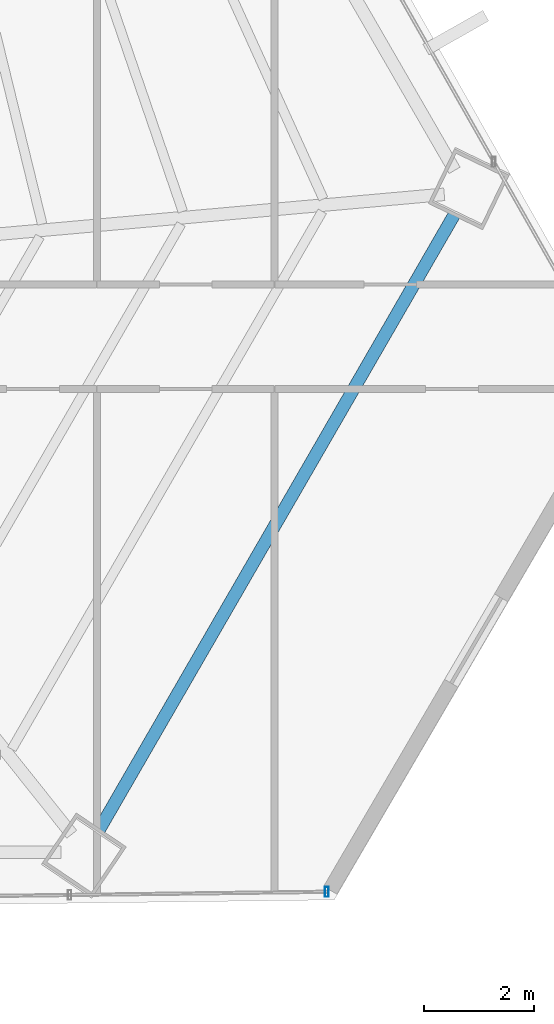
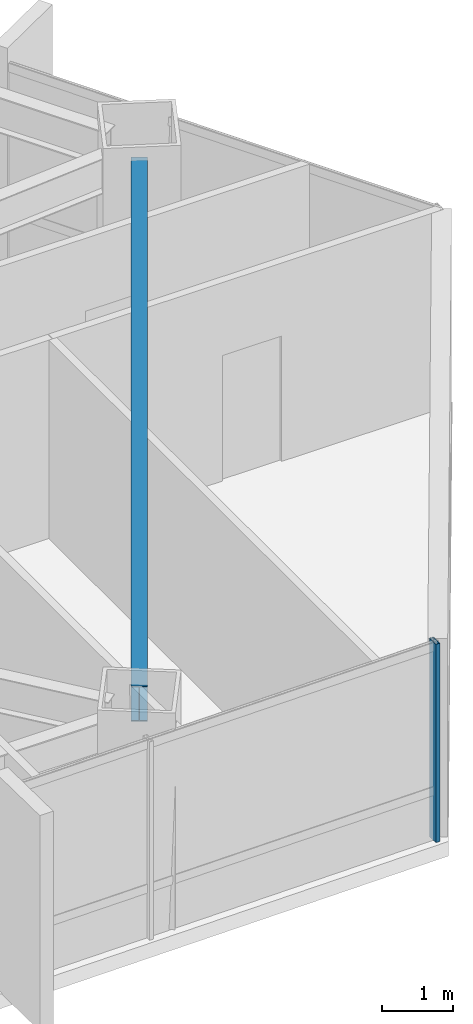
# One storey, part 16 of 35: 1 beam, 1 member, 1 element without a shape of its own.
"""IFC4 building model written with IfcOpenShell, lengths in metres."""

from ifc_helpers import new_model, si_unit, direction, frame, origin, origin_2d, place, context, subcontext, project, spatial, hollow_rectangle, i_section, extrude, source, transform, mapped, material, material_profile, profile_set, type_object, type_shapes, element, aggregate, save


model = new_model("IFC4")

# Units and contexts
model_context = context("Model", 3, precision=1e-05, world=origin(), true_north=direction((0.0, 1.0)))
body_context = subcontext(model_context, "Body", "Model", "MODEL_VIEW")
ifc_project = project(units=[si_unit("LENGTHUNIT", "METRE"), si_unit("AREAUNIT", "SQUARE_METRE"), si_unit("VOLUMEUNIT", "CUBIC_METRE"), si_unit("PLANEANGLEUNIT", "RADIAN"), si_unit("MASSUNIT", "GRAM", prefix="KILO")], contexts=[model_context])

# Site, building, storey
site_placement = place(None, origin())
site = spatial("IfcSite", under=ifc_project, at=site_placement, CompositionType="ELEMENT")
building_placement = place(site_placement, origin())
building = spatial("IfcBuilding", under=site, at=building_placement, Name="Caelisora Broadcast Tower", CompositionType="ELEMENT")
storey_placement = place(building_placement, frame((0.0, 0.0, 123.64990234375)))
storey = spatial("IfcBuildingStorey", under=building, at=storey_placement, Name="L32", CompositionType="ELEMENT", Elevation=123.64990234375)

# Beam
ifc_material_1 = material(Name="Steel Grade 350 (AS/NZS 3679.1)", Category="steel")
ifc_material_profile_1 = material_profile(ifc_material_1, i_section(OverallWidth=0.22900390625, OverallDepth=0.611572265625, WebThickness=0.011962890625, FlangeThickness=0.01953125, at=origin_2d()), Name="Steel Grade 350 (AS/NZS 3679.1)")
ifc_profile_set_1 = profile_set([ifc_material_profile_1], Name="Steel Grade 350 (AS/NZS 3679.1)")
beam_type = type_object("IfcBeamType", Name="PG03", PredefinedType="BEAM", material=ifc_profile_set_1)
shared_shape_1 = source(origin(), body_context, "Body", "SweptSolid", [
    extrude(i_section(OverallWidth=0.22900390625, OverallDepth=0.611572265625, WebThickness=0.011962890625, FlangeThickness=0.01953125, at=origin_2d()), origin(), (0.0, 0.0, 1.0), 12.93994140625),
])
type_shapes(beam_type, [shared_shape_1])
beam_placement = place(storey_placement, frame((54.205078125, 7.173095703125, 3.09423828125), z_axis=(0.500000640928, 0.866025033744, 0.0), x_axis=(-0.866025033744, 0.500000640928, 0.0)))
element("IfcBeam", 1, at=beam_placement, inside=storey, type_object=beam_type, Name="L32 beam PG03", PredefinedType="BEAM", context=body_context, shape_type="MappedRepresentation", body=[
    mapped(shared_shape_1, transform((0.0, 0.0, 0.0), scale=1.0)),
])

# Curtain wall, member
ifc_material_2 = material(Name="Unitised Aluminium and Low-E Glass Curtain Wall", Category="glass")
curtain_wall_type = type_object("IfcCurtainWallType", Name="CW-Z2", PredefinedType="NOTDEFINED", material=ifc_material_2)
curtain_wall_placement = place(storey_placement, origin())
curtain_wall = element("IfcCurtainWall", 2, at=curtain_wall_placement, inside=storey, type_object=curtain_wall_type, Name="L32 curtain wall CW-Z2", PredefinedType="NOTDEFINED")
ifc_material_3 = material(Name="Aluminium 6063-T6 Anodised Terracotta Bronze", Category="aluminium")
ifc_material_profile_2 = material_profile(ifc_material_3, hollow_rectangle(XDim=0.06494140625, YDim=0.179931640625, WallThickness=0.00341796875, at=origin_2d()), Name="Aluminium 6063-T6 Anodised Terracotta Bronze")
ifc_profile_set_2 = profile_set([ifc_material_profile_2], Name="Aluminium 6063-T6 Anodised Terracotta Bronze")
member_type = type_object("IfcMemberType", Name="CWM-02", PredefinedType="MULLION", material=ifc_profile_set_2)
shared_shape_2 = source(origin(), body_context, "Body", "SweptSolid", [
    extrude(hollow_rectangle(XDim=0.06494140625, YDim=0.179931640625, WallThickness=0.00341796875, at=origin_2d()), origin(), (0.0, 0.0, 1.0), 3.400146484375),
])
type_shapes(member_type, [shared_shape_2])
member_placement = place(storey_placement, frame((58.35009765625, 6.057373046875, 0.0), z_axis=(0.0, 0.0, 1.0), x_axis=(1.0, 0.0, 0.0)))
member = element("IfcMember", 3, at=member_placement, type_object=member_type, Name="L32-CW-B05 mullion #0", PredefinedType="MULLION", context=body_context, shape_type="MappedRepresentation", body=[
    mapped(shared_shape_2, transform((0.0, 0.0, 0.0), scale=1.0)),
])
aggregate(curtain_wall, [member])

save(model, "model.ifc")
